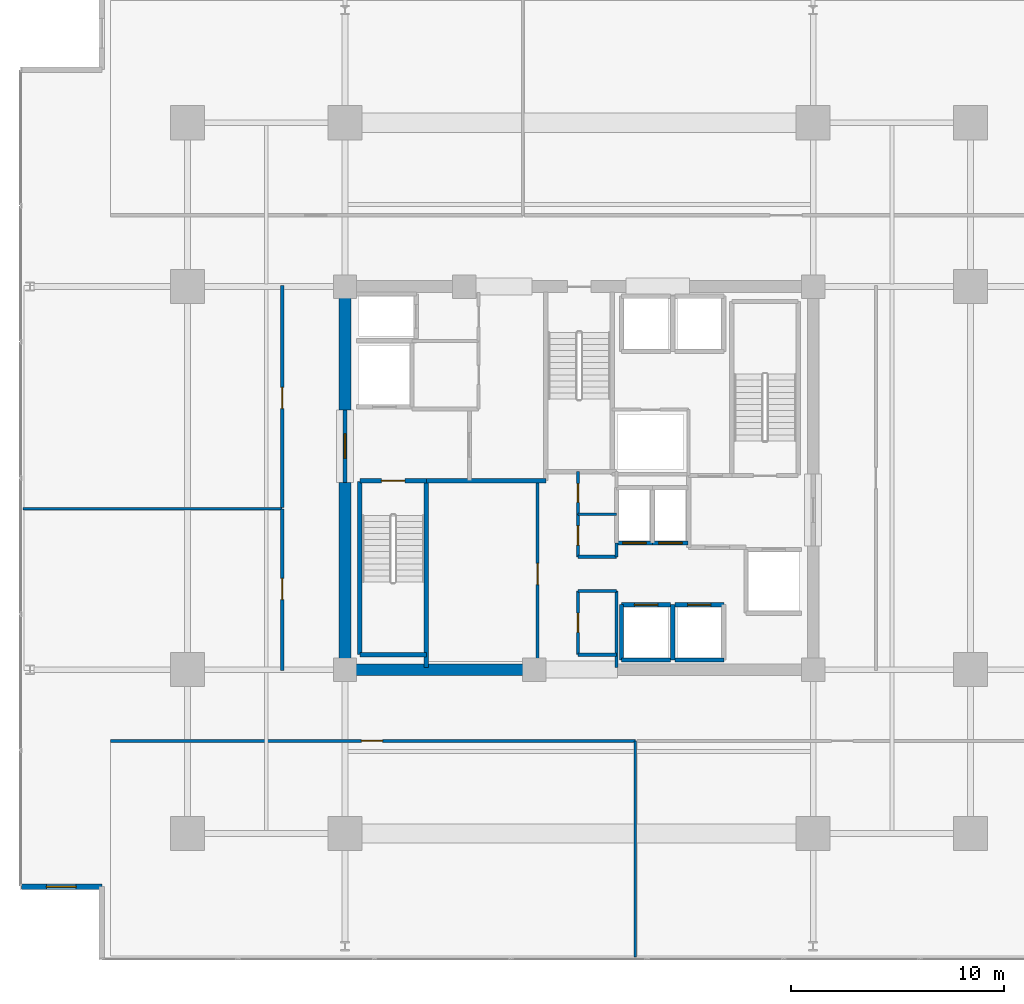
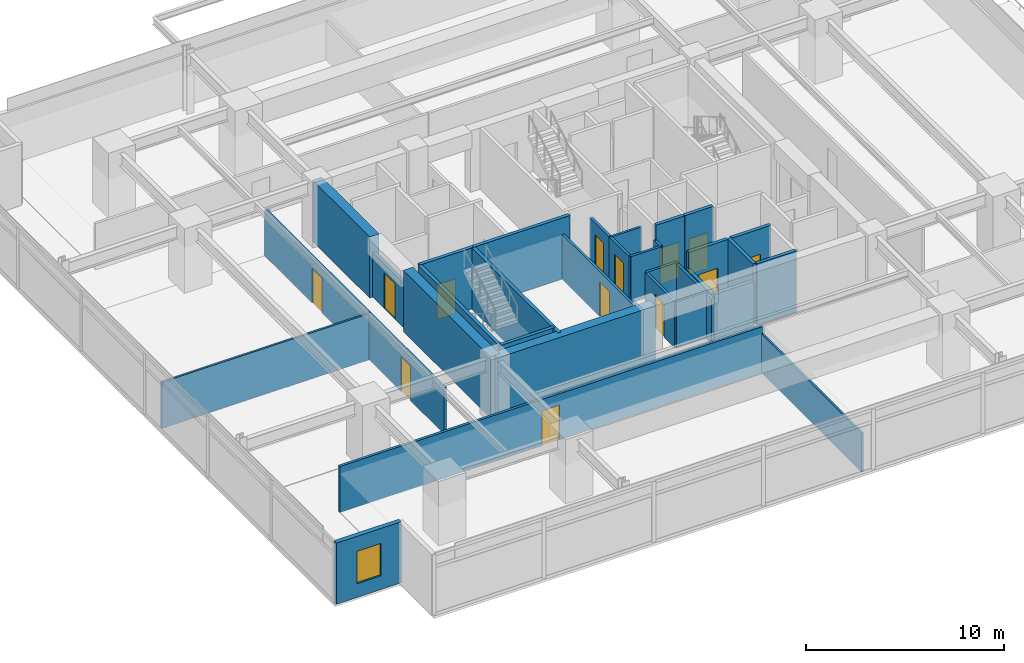
# One storey, part 12 of 20: 33 walls, 13 doors, 1 window, 14 openings.
"""IFC4 building model written with IfcOpenShell, lengths in metres."""

from ifc_helpers import new_model, si_unit, direction, frame, frame_2d, origin, place, context, subcontext, project, spatial, rectangle, extrude, material, layer, layer_set, type_object, element, fill, save


model = new_model("IFC4")

# Units and contexts
model_context = context("Model", 3, precision=1e-05, world=origin(), true_north=direction((0.0, 1.0)))
body_context = subcontext(model_context, "Body", "Model", "MODEL_VIEW")
ifc_project = project(units=[si_unit("LENGTHUNIT", "METRE"), si_unit("AREAUNIT", "SQUARE_METRE"), si_unit("VOLUMEUNIT", "CUBIC_METRE"), si_unit("PLANEANGLEUNIT", "RADIAN"), si_unit("MASSUNIT", "GRAM", prefix="KILO")], contexts=[model_context])

# Site, building, storey
site_placement = place(None, origin())
site = spatial("IfcSite", under=ifc_project, at=site_placement, CompositionType="ELEMENT")
building_placement = place(site_placement, origin())
building = spatial("IfcBuilding", under=site, at=building_placement, Name="Kovane Verandah Tower", CompositionType="ELEMENT")
storey_placement = place(building_placement, frame((0.0, 0.0, 128.39990234375)))
storey = spatial("IfcBuildingStorey", under=building, at=storey_placement, Name="L29", CompositionType="ELEMENT", Elevation=128.39990234375)

# Walls
ifc_material_1 = material(Name="Fire-Rated Gypsum Stud Partition", Category="gypsum")
ifc_layer_1 = layer(ifc_material_1, 0.14990234375)
ifc_layer_set_1 = layer_set([ifc_layer_1], Name="Fire-Rated Gypsum Stud Partition")
wall_type_1 = type_object("IfcWallType", Name="WL-COR-150", PredefinedType="PARTITIONING", material=ifc_layer_set_1)
for number, where, z_axis, x_axis, name in (
    (1, (39.949951171875, 19.199951171875, 0.0), (0.0, 0.0, 1.0), (1.0, 0.0, 0.0), "L29 Central Core Strip South Wall"),
    (2, (39.949951171875, 22.199951171875, 0.0), (0.0, 0.0, 1.0), (1.0, 0.0, 0.0), "L29 Core Cross-Passage South Wall"),
    (3, (39.949951171875, 23.800048828125, 0.0), (0.0, 0.0, 1.0), (1.0, 0.0, 0.0), "L29 Core Cross-Passage North Wall"),
):
    element("IfcWall", number, at=place(storey_placement, frame(where, z_axis=z_axis, x_axis=x_axis)), inside=storey, type_object=wall_type_1, Name=name, PredefinedType="PARTITIONING", context=body_context, shape_type="SweptSolid", body=[
        extrude(rectangle(XDim=1.81005859375, YDim=0.14990234375, at=frame_2d((0.905029296875, 0.0))), origin(), (0.0, 0.0, 1.0), 2.85009765625),
    ])
wall_1_placement = place(storey_placement, frame((41.760009765625, 18.60009765625, 0.0), z_axis=(0.0, 0.0, 1.0), x_axis=(0.0, 1.0, 0.0)))
element("IfcWall", 4, at=wall_1_placement, inside=storey, type_object=wall_type_1, Name="L29 Central Core Strip Lower East Wall", PredefinedType="PARTITIONING", context=body_context, shape_type="SweptSolid", body=[
    extrude(rectangle(XDim=3.599853515625, YDim=0.14990234375, at=frame_2d((1.7998046875, 0.0))), origin(), (0.0, 0.0, 1.0), 2.755126953125),
])
wall_2_placement = place(storey_placement, frame((41.760009765625, 23.800048828125, 0.0), z_axis=(0.0, 0.0, 1.0), x_axis=(0.0, 1.0, 0.0)))
element("IfcWall", 5, at=wall_2_placement, inside=storey, type_object=wall_type_1, Name="L29 Central Core Strip Middle East Wall", PredefinedType="PARTITIONING", context=body_context, shape_type="SweptSolid", body=[
    extrude(rectangle(XDim=0.64990234375, YDim=0.14990234375, at=frame_2d((0.324951171875, 0.0))), origin(), (0.0, 0.0, 1.0), 2.85009765625),
])

# Wall, opening, door
wall_3_placement = place(storey_placement, frame((39.949951171875, 19.199951171875, 0.0), z_axis=(0.0, 0.0, 1.0), x_axis=(0.0, 1.0, 0.0)))
wall_3 = element("IfcWall", 6, at=wall_3_placement, inside=storey, type_object=wall_type_1, Name="L29 Male Toilet Partition", PredefinedType="PARTITIONING", context=body_context, shape_type="SweptSolid", body=[
    extrude(rectangle(XDim=3.0, YDim=0.14990234375, at=frame_2d((1.5, 0.0))), origin(), (0.0, 0.0, 1.0), 2.85009765625),
])
opening_1_placement = place(wall_3_placement, frame((1.050048828125, 0.0, 0.0)))
opening_1 = element("IfcOpeningElement", 7, at=opening_1_placement, cuts=wall_3, Name="Opening DR-L29-022", PredefinedType="OPENING", context=body_context, shape_type="SweptSolid", body=[
    extrude(rectangle(XDim=0.89990234375, YDim=2.10009765625, at=frame_2d((0.449951171875, 1.050048828125))), frame((0.0, 0.074951171875, 0.0), z_axis=(0.0, -1.0, 0.0), x_axis=(1.0, 0.0, 0.0)), (0.0, 0.0, 1.0), 0.14990234375),
])
ifc_material_2 = material(Name="Moisture-Resistant Laminate Washroom Door", Category="wood")
door_type_1 = type_object("IfcDoorType", Name="DR-WC-900", OperationType="SINGLE_SWING_LEFT", PredefinedType="DOOR", material=ifc_material_2)
door_1_placement = place(opening_1_placement, origin())
door_1 = element("IfcDoor", 8, at=door_1_placement, inside=storey, type_object=door_type_1, Name="L29 Male Toilet Door", OperationType="SINGLE_SWING_LEFT", OverallHeight=2.10009765625, OverallWidth=0.89990234375, PredefinedType="DOOR", context=body_context, shape_type="SweptSolid", body=[
    extrude(rectangle(XDim=0.89990234375, YDim=2.10009765625, at=frame_2d((0.449951171875, 1.050048828125))), frame((0.0, 0.02490234375, 0.0), z_axis=(0.0, -1.0, 0.0), x_axis=(1.0, 0.0, 0.0)), (0.0, 0.0, 1.0), 0.050048828125),
])
fill(opening_1, door_1)

wall_4_placement = place(storey_placement, frame((39.949951171875, 23.800048828125, 0.0), z_axis=(0.0, 0.0, 1.0), x_axis=(0.0, 1.0, 0.0)))
wall_4 = element("IfcWall", 9, at=wall_4_placement, inside=storey, type_object=wall_type_1, Name="L29 Female Toilet Partition", PredefinedType="PARTITIONING", context=body_context, shape_type="SweptSolid", body=[
    extrude(rectangle(XDim=2.0, YDim=0.14990234375, at=frame_2d((1.0, 0.0))), origin(), (0.0, 0.0, 1.0), 2.85009765625),
])
opening_2_placement = place(wall_4_placement, frame((0.550048828125, 0.0, 0.0)))
opening_2 = element("IfcOpeningElement", 10, at=opening_2_placement, cuts=wall_4, Name="Opening DR-L29-021", PredefinedType="OPENING", context=body_context, shape_type="SweptSolid", body=[
    extrude(rectangle(XDim=0.89990234375, YDim=2.10009765625, at=frame_2d((0.449951171875, 1.050048828125))), frame((0.0, 0.074951171875, 0.0), z_axis=(0.0, -1.0, 0.0), x_axis=(1.0, 0.0, 0.0)), (0.0, 0.0, 1.0), 0.14990234375),
])
door_2_placement = place(opening_2_placement, origin())
door_2 = element("IfcDoor", 11, at=door_2_placement, inside=storey, type_object=door_type_1, Name="L29 Female Toilet Door", OperationType="SINGLE_SWING_RIGHT", OverallHeight=2.10009765625, OverallWidth=0.89990234375, PredefinedType="DOOR", context=body_context, shape_type="SweptSolid", body=[
    extrude(rectangle(XDim=0.89990234375, YDim=2.10009765625, at=frame_2d((0.449951171875, 1.050048828125))), frame((0.0, 0.02490234375, 0.0), z_axis=(0.0, -1.0, 0.0), x_axis=(1.0, 0.0, 0.0)), (0.0, 0.0, 1.0), 0.050048828125),
])
fill(opening_2, door_2)

wall_5_placement = place(storey_placement, frame((39.949951171875, 25.800048828125, 0.0), z_axis=(0.0, 0.0, 1.0), x_axis=(0.0, 1.0, 0.0)))
wall_5 = element("IfcWall", 12, at=wall_5_placement, inside=storey, type_object=wall_type_1, Name="L29 Telecom and BMS Riser Room Partition", PredefinedType="PARTITIONING", context=body_context, shape_type="SweptSolid", body=[
    extrude(rectangle(XDim=2.0, YDim=0.14990234375, at=frame_2d((1.0, 0.0))), origin(), (0.0, 0.0, 1.0), 2.85009765625),
])
opening_3_placement = place(wall_5_placement, frame((0.56005859375, 0.0, 0.0)))
opening_3 = element("IfcOpeningElement", 13, at=opening_3_placement, cuts=wall_5, Name="Opening DR-L29-019", PredefinedType="OPENING", context=body_context, shape_type="SweptSolid", body=[
    extrude(rectangle(XDim=0.8798828125, YDim=2.10009765625, at=frame_2d((0.43994140625, 1.050048828125))), frame((0.0, 0.074951171875, 0.0), z_axis=(0.0, -1.0, 0.0), x_axis=(1.0, 0.0, 0.0)), (0.0, 0.0, 1.0), 0.14990234375),
])
ifc_material_3 = material(Name="Fire-Rated Steel Riser Access Door", Category="steel")
door_type_2 = type_object("IfcDoorType", Name="DR-RISER-880", OperationType="SINGLE_SWING_LEFT", PredefinedType="DOOR", material=ifc_material_3)
door_3_placement = place(opening_3_placement, origin())
door_3 = element("IfcDoor", 14, at=door_3_placement, inside=storey, type_object=door_type_2, Name="L29 Telecom and BMS Riser Room Door", OperationType="SINGLE_SWING_LEFT", OverallHeight=2.10009765625, OverallWidth=0.8798828125, PredefinedType="DOOR", context=body_context, shape_type="SweptSolid", body=[
    extrude(rectangle(XDim=0.8798828125, YDim=2.10009765625, at=frame_2d((0.43994140625, 1.050048828125))), frame((0.0, 0.02490234375, 0.0), z_axis=(0.0, -1.0, 0.0), x_axis=(1.0, 0.0, 0.0)), (0.0, 0.0, 1.0), 0.050048828125),
])
fill(opening_3, door_3)

wall_6_placement = place(storey_placement, frame((38.050048828125, 18.60009765625, 0.0), z_axis=(0.0, 0.0, 1.0), x_axis=(0.0, 1.0, 0.0)))
wall_6 = element("IfcWall", 15, at=wall_6_placement, inside=storey, type_object=wall_type_1, Name="L29 Tenant Wellness and Archive Suite Partition", PredefinedType="PARTITIONING", context=body_context, shape_type="SweptSolid", body=[
    extrude(rectangle(XDim=8.77978515625, YDim=0.14990234375, at=frame_2d((4.389892578125, 0.0))), origin(), (0.0, 0.0, 1.0), 2.755126953125),
])
opening_4_placement = place(wall_6_placement, frame((3.889892578125, 0.0, 0.0)))
opening_4 = element("IfcOpeningElement", 16, at=opening_4_placement, cuts=wall_6, Name="Opening DR-L29-013", PredefinedType="OPENING", context=body_context, shape_type="SweptSolid", body=[
    extrude(rectangle(XDim=1.0, YDim=2.14990234375, at=frame_2d((0.5, 1.074951171875))), frame((0.0, 0.074951171875, 0.0), z_axis=(0.0, -1.0, 0.0), x_axis=(1.0, 0.0, 0.0)), (0.0, 0.0, 1.0), 0.14990234375),
])
ifc_material_4 = material(Name="FSC Spotted-Gum Timber Fire-Rated Office Door", Category="wood")
door_type_3 = type_object("IfcDoorType", Name="DR-OFF-1000", OperationType="SINGLE_SWING_LEFT", PredefinedType="DOOR", material=ifc_material_4)
door_4_placement = place(opening_4_placement, origin())
door_4 = element("IfcDoor", 17, at=door_4_placement, inside=storey, type_object=door_type_3, Name="L29 Tenant Wellness and Archive Suite Door", OperationType="SINGLE_SWING_RIGHT", OverallHeight=2.14990234375, OverallWidth=1.0, PredefinedType="DOOR", context=body_context, shape_type="SweptSolid", body=[
    extrude(rectangle(XDim=1.0, YDim=2.14990234375, at=frame_2d((0.5, 1.074951171875))), frame((0.0, 0.02490234375, 0.0), z_axis=(0.0, -1.0, 0.0), x_axis=(1.0, 0.0, 0.0)), (0.0, 0.0, 1.0), 0.050048828125),
])
fill(opening_4, door_4)

wall_7_placement = place(storey_placement, frame((17.97119140625, 15.14990234375, 0.0), z_axis=(0.0, 0.0, 1.0), x_axis=(1.0, 0.0, 0.0)))
wall_7 = element("IfcWall", 18, at=wall_7_placement, inside=storey, type_object=wall_type_1, Name="L29 Meeting Room S1 Corridor Partition", PredefinedType="PARTITIONING", context=body_context, shape_type="SweptSolid", body=[
    extrude(rectangle(XDim=24.672119140625, YDim=0.14990234375, at=frame_2d((12.3359375, 0.0))), origin(), (0.0, 0.0, 1.0), 2.85009765625),
])
opening_5_placement = place(wall_7_placement, frame((11.801025390625, 0.0, 0.0)))
opening_5 = element("IfcOpeningElement", 19, at=opening_5_placement, cuts=wall_7, Name="Opening DR-L29-017", PredefinedType="OPENING", context=body_context, shape_type="SweptSolid", body=[
    extrude(rectangle(XDim=1.0, YDim=2.14990234375, at=frame_2d((0.5, 1.074951171875))), frame((0.0, 0.074951171875, 0.0), z_axis=(0.0, -1.0, 0.0), x_axis=(1.0, 0.0, 0.0)), (0.0, 0.0, 1.0), 0.14990234375),
])
door_5_placement = place(opening_5_placement, origin())
door_5 = element("IfcDoor", 20, at=door_5_placement, inside=storey, type_object=door_type_3, Name="L29 Meeting Room S1 Entrance Door", OperationType="SINGLE_SWING_RIGHT", OverallHeight=2.14990234375, OverallWidth=1.0, PredefinedType="DOOR", context=body_context, shape_type="SweptSolid", body=[
    extrude(rectangle(XDim=1.0, YDim=2.14990234375, at=frame_2d((0.5, 1.074951171875))), frame((0.0, 0.02490234375, 0.0), z_axis=(0.0, -1.0, 0.0), x_axis=(1.0, 0.0, 0.0)), (0.0, 0.0, 1.0), 0.050048828125),
])
fill(opening_5, door_5)

wall_8_placement = place(storey_placement, frame((26.050048828125, 18.449951171875, 0.0), z_axis=(0.0, 0.0, 1.0), x_axis=(0.0, 1.0, 0.0)))
wall_8 = element("IfcWall", 21, at=wall_8_placement, inside=storey, type_object=wall_type_1, Name="L29 Breakout Pantry W1 Corridor Partition", PredefinedType="PARTITIONING", context=body_context, shape_type="SweptSolid", body=[
    extrude(rectangle(XDim=7.60205078125, YDim=0.14990234375, at=frame_2d((3.801025390625, 0.0))), origin(), (0.0, 0.0, 1.0), 2.85009765625),
])
opening_6_placement = place(wall_8_placement, frame((3.341064453125, 0.0, 0.0)))
opening_6 = element("IfcOpeningElement", 22, at=opening_6_placement, cuts=wall_8, Name="Opening DR-L29-023", PredefinedType="OPENING", context=body_context, shape_type="SweptSolid", body=[
    extrude(rectangle(XDim=1.0, YDim=2.14990234375, at=frame_2d((0.5, 1.074951171875))), frame((0.0, 0.074951171875, 0.0), z_axis=(0.0, -1.0, 0.0), x_axis=(1.0, 0.0, 0.0)), (0.0, 0.0, 1.0), 0.14990234375),
])
door_6_placement = place(opening_6_placement, origin())
door_6 = element("IfcDoor", 23, at=door_6_placement, inside=storey, type_object=door_type_3, Name="L29 Breakout Pantry W1 Entrance Door", OperationType="SINGLE_SWING_RIGHT", OverallHeight=2.14990234375, OverallWidth=1.0, PredefinedType="DOOR", context=body_context, shape_type="SweptSolid", body=[
    extrude(rectangle(XDim=1.0, YDim=2.14990234375, at=frame_2d((0.5, 1.074951171875))), frame((0.0, 0.02490234375, 0.0), z_axis=(0.0, -1.0, 0.0), x_axis=(1.0, 0.0, 0.0)), (0.0, 0.0, 1.0), 0.050048828125),
])
fill(opening_6, door_6)

wall_9_placement = place(storey_placement, frame((26.050048828125, 26.1220703125, 0.0), z_axis=(0.0, 0.0, 1.0), x_axis=(0.0, 1.0, 0.0)))
wall_9 = element("IfcWall", 24, at=wall_9_placement, inside=storey, type_object=wall_type_1, Name="L29 Collaboration Hub W2 Corridor Partition", PredefinedType="PARTITIONING", context=body_context, shape_type="SweptSolid", body=[
    extrude(rectangle(XDim=10.427978515625, YDim=0.14990234375, at=frame_2d((5.2138671875, 0.0))), origin(), (0.0, 0.0, 1.0), 2.85009765625),
])
opening_7_placement = place(wall_9_placement, frame((4.638916015625, 0.0, 0.0)))
opening_7 = element("IfcOpeningElement", 25, at=opening_7_placement, cuts=wall_9, Name="Opening DR-L29-024", PredefinedType="OPENING", context=body_context, shape_type="SweptSolid", body=[
    extrude(rectangle(XDim=1.0, YDim=2.14990234375, at=frame_2d((0.5, 1.074951171875))), frame((0.0, 0.074951171875, 0.0), z_axis=(0.0, -1.0, 0.0), x_axis=(1.0, 0.0, 0.0)), (0.0, 0.0, 1.0), 0.14990234375),
])
door_7_placement = place(opening_7_placement, origin())
door_7 = element("IfcDoor", 26, at=door_7_placement, inside=storey, type_object=door_type_3, Name="L29 Collaboration Hub W2 Entrance Door", OperationType="SINGLE_SWING_LEFT", OverallHeight=2.14990234375, OverallWidth=1.0, PredefinedType="DOOR", context=body_context, shape_type="SweptSolid", body=[
    extrude(rectangle(XDim=1.0, YDim=2.14990234375, at=frame_2d((0.5, 1.074951171875))), frame((0.0, 0.02490234375, 0.0), z_axis=(0.0, -1.0, 0.0), x_axis=(1.0, 0.0, 0.0)), (0.0, 0.0, 1.0), 0.050048828125),
])
fill(opening_7, door_7)

# Walls
ifc_material_5 = material(Name="Concrete C60/75", Category="concrete")
ifc_layer_2 = layer(ifc_material_5, 0.550048828125)
ifc_layer_set_2 = layer_set([ifc_layer_2], Name="Concrete C60/75")
wall_type_2 = type_object("IfcWallType", Name="WL-CORE-550", PredefinedType="SHEAR", material=ifc_layer_set_2)
wall_10_placement = place(storey_placement, frame((29.0, 18.5, 0.0), z_axis=(0.0, 0.0, 1.0), x_axis=(1.0, 0.0, 0.0)))
element("IfcWall", 27, at=wall_10_placement, inside=storey, type_object=wall_type_2, Name="L29 Core Shear Wall CS-1", PredefinedType="SHEAR", context=body_context, shape_type="SweptSolid", body=[
    extrude(rectangle(XDim=9.199951171875, YDim=0.550048828125, at=frame_2d((4.60009765625, 0.0))), origin(), (0.0, 0.0, 1.0), 3.775146484375),
])
wall_11_placement = place(storey_placement, frame((29.0, 18.5, 0.0), z_axis=(0.0, 0.0, 1.0), x_axis=(0.0, 1.0, 0.0)))
element("IfcWall", 28, at=wall_11_placement, inside=storey, type_object=wall_type_2, Name="L29 Core Shear Wall CW-1", PredefinedType="SHEAR", context=body_context, shape_type="SweptSolid", body=[
    extrude(rectangle(XDim=8.800048828125, YDim=0.550048828125, at=frame_2d((4.39990234375, 0.0))), origin(), (0.0, 0.0, 1.0), 3.775146484375),
])
wall_12_placement = place(storey_placement, frame((29.0, 30.699951171875, 0.0), z_axis=(0.0, 0.0, 1.0), x_axis=(0.0, 1.0, 0.0)))
element("IfcWall", 29, at=wall_12_placement, inside=storey, type_object=wall_type_2, Name="L29 Core Shear Wall CW-2", PredefinedType="SHEAR", context=body_context, shape_type="SweptSolid", body=[
    extrude(rectangle(XDim=5.800048828125, YDim=0.550048828125, at=frame_2d((2.89990234375, 0.0))), origin(), (0.0, 0.0, 1.0), 3.775146484375),
])

# Wall, opening, door
ifc_material_6 = material(Name="Concrete C45/55 Fire Wall", Category="concrete")
ifc_layer_3 = layer(ifc_material_6, 0.199951171875)
ifc_layer_set_3 = layer_set([ifc_layer_3], Name="Concrete C45/55 Fire Wall")
wall_type_3 = type_object("IfcWallType", Name="WL-FFL-200", PredefinedType="PARTITIONING", material=ifc_layer_set_3)
wall_13_placement = place(storey_placement, frame((29.0, 27.300048828125, 0.0), z_axis=(0.0, 0.0, 1.0), x_axis=(0.0, 1.0, 0.0)))
wall_13 = element("IfcWall", 30, at=wall_13_placement, inside=storey, type_object=wall_type_3, Name="W-L29-FFLW-OUT", PredefinedType="PARTITIONING", context=body_context, shape_type="SweptSolid", body=[
    extrude(rectangle(XDim=3.39990234375, YDim=0.199951171875, at=frame_2d((1.699951171875, 0.0))), origin(), (0.0, 0.0, 1.0), 2.755126953125),
])
opening_8_placement = place(wall_13_placement, frame((1.125, 0.0, 0.0)))
opening_8 = element("IfcOpeningElement", 31, at=opening_8_placement, cuts=wall_13, Name="Opening DR-L29-007", PredefinedType="OPENING", context=body_context, shape_type="SweptSolid", body=[
    extrude(rectangle(XDim=1.14990234375, YDim=2.199951171875, at=frame_2d((0.574951171875, 1.10009765625))), frame((0.0, 0.10009765625, 0.0), z_axis=(0.0, -1.0, 0.0), x_axis=(1.0, 0.0, 0.0)), (0.0, 0.0, 1.0), 0.199951171875),
])
ifc_material_7 = material(Name="Smoke-Sealed Firefighting Lobby Door", Category="steel")
door_type_4 = type_object("IfcDoorType", Name="DR-FFL-1150", OperationType="SINGLE_SWING_LEFT", PredefinedType="DOOR", material=ifc_material_7)
door_8_placement = place(opening_8_placement, origin())
door_8 = element("IfcDoor", 32, at=door_8_placement, inside=storey, type_object=door_type_4, Name="L29 West Firefighting Lobby Corridor Door", OperationType="SINGLE_SWING_RIGHT", OverallHeight=2.199951171875, OverallWidth=1.14990234375, PredefinedType="DOOR", context=body_context, shape_type="SweptSolid", body=[
    extrude(rectangle(XDim=1.14990234375, YDim=2.199951171875, at=frame_2d((0.574951171875, 1.10009765625))), frame((0.0, 0.02490234375, 0.0), z_axis=(0.0, -1.0, 0.0), x_axis=(1.0, 0.0, 0.0)), (0.0, 0.0, 1.0), 0.050048828125),
])
fill(opening_8, door_8)

# Walls
wall_14_placement = place(storey_placement, frame((32.820068359375, 27.3798828125, 0.0), z_axis=(0.0, 0.0, 1.0), x_axis=(1.0, 0.0, 0.0)))
element("IfcWall", 33, at=wall_14_placement, inside=storey, type_object=wall_type_3, Name="L29 West Firefighting Lobby South Fire Wall", PredefinedType="PARTITIONING", context=body_context, shape_type="SweptSolid", body=[
    extrude(rectangle(XDim=5.619873046875, YDim=0.199951171875, at=frame_2d((2.81005859375, 0.0))), origin(), (0.0, 0.0, 1.0), 3.775146484375),
])
ifc_material_8 = material(Name="Concrete C45/55 Lift Shaft Wall", Category="concrete")
ifc_layer_4 = layer(ifc_material_8, 0.199951171875)
ifc_layer_set_4 = layer_set([ifc_layer_4], Name="Concrete C45/55 Lift Shaft Wall")
wall_type_4 = type_object("IfcWallType", Name="WL-LIFT-200", PredefinedType="SOLIDWALL", material=ifc_layer_set_4)
wall_15_placement = place(storey_placement, frame((42.0, 18.949951171875, 0.0), z_axis=(0.0, 0.0, 1.0), x_axis=(1.0, 0.0, 0.0)))
element("IfcWall", 34, at=wall_15_placement, inside=storey, type_object=wall_type_4, Name="L29 Lift PL-M1 S Shaft Wall", PredefinedType="SOLIDWALL", context=body_context, shape_type="SweptSolid", body=[
    extrude(rectangle(XDim=2.300048828125, YDim=0.199951171875, at=frame_2d((1.14990234375, 0.0))), origin(), (0.0, 0.0, 1.0), 2.755126953125),
])

# Wall, opening, door
wall_16_placement = place(storey_placement, frame((44.300048828125, 21.550048828125, 0.0), z_axis=(0.0, 0.0, 1.0), x_axis=(-1.0, 0.0, 0.0)))
wall_16 = element("IfcWall", 35, at=wall_16_placement, inside=storey, type_object=wall_type_4, Name="L29 Lift PL-M1 N Shaft Wall", PredefinedType="SOLIDWALL", context=body_context, shape_type="SweptSolid", body=[
    extrude(rectangle(XDim=2.300048828125, YDim=0.199951171875, at=frame_2d((1.14990234375, 0.0))), origin(), (0.0, 0.0, 1.0), 3.775146484375),
])
opening_9_placement = place(wall_16_placement, frame((0.60009765625, 0.0, 0.0)))
opening_9 = element("IfcOpeningElement", 36, at=opening_9_placement, cuts=wall_16, Name="Opening LD-L29-004", PredefinedType="OPENING", context=body_context, shape_type="SweptSolid", body=[
    extrude(rectangle(XDim=1.10009765625, YDim=2.199951171875, at=frame_2d((0.550048828125, 1.10009765625))), frame((0.0, 0.10009765625, 0.0), z_axis=(0.0, -1.0, 0.0), x_axis=(1.0, 0.0, 0.0)), (0.0, 0.0, 1.0), 0.199951171875),
])
ifc_material_9 = material(Name="Brushed Stainless Steel Sliding Lift Landing Door", Category="steel")
door_type_5 = type_object("IfcDoorType", Name="DR-LIFT-1100", OperationType="SLIDING_TO_RIGHT", PredefinedType="DOOR", material=ifc_material_9)
door_9_placement = place(opening_9_placement, origin())
door_9 = element("IfcDoor", 37, at=door_9_placement, inside=storey, type_object=door_type_5, Name="L29 Lift PL-M1 Sliding Landing Door", OperationType="SLIDING_TO_RIGHT", OverallHeight=2.199951171875, OverallWidth=1.10009765625, PredefinedType="DOOR", context=body_context, shape_type="SweptSolid", body=[
    extrude(rectangle(XDim=1.10009765625, YDim=2.199951171875, at=frame_2d((0.550048828125, 1.10009765625))), frame((0.0, 0.02490234375, 0.0), z_axis=(0.0, -1.0, 0.0), x_axis=(1.0, 0.0, 0.0)), (0.0, 0.0, 1.0), 0.050048828125),
])
fill(opening_9, door_9)

# Walls
wall_17_placement = place(storey_placement, frame((42.0, 21.550048828125, 0.0), z_axis=(0.0, 0.0, 1.0), x_axis=(0.0, -1.0, 0.0)))
element("IfcWall", 38, at=wall_17_placement, inside=storey, type_object=wall_type_4, Name="L29 Lift PL-M1 W Shaft Wall", PredefinedType="SOLIDWALL", context=body_context, shape_type="SweptSolid", body=[
    extrude(rectangle(XDim=2.60009765625, YDim=0.199951171875, at=frame_2d((1.300048828125, 0.0))), origin(), (0.0, 0.0, 1.0), 2.755126953125),
])
wall_18_placement = place(storey_placement, frame((44.39990234375, 18.949951171875, 0.0), z_axis=(0.0, 0.0, 1.0), x_axis=(0.0, 1.0, 0.0)))
element("IfcWall", 39, at=wall_18_placement, inside=storey, type_object=wall_type_4, Name="L29 Lift PL-M1 and PL-M2 Shared Shaft Wall", PredefinedType="SOLIDWALL", context=body_context, shape_type="SweptSolid", body=[
    extrude(rectangle(XDim=2.60009765625, YDim=0.199951171875, at=frame_2d((1.300048828125, 0.0))), origin(), (0.0, 0.0, 1.0), 3.775146484375),
])
wall_19_placement = place(storey_placement, frame((44.5, 18.949951171875, 0.0), z_axis=(0.0, 0.0, 1.0), x_axis=(1.0, 0.0, 0.0)))
element("IfcWall", 40, at=wall_19_placement, inside=storey, type_object=wall_type_4, Name="L29 Lift PL-M2 S Shaft Wall", PredefinedType="SOLIDWALL", context=body_context, shape_type="SweptSolid", body=[
    extrude(rectangle(XDim=2.300048828125, YDim=0.199951171875, at=frame_2d((1.14990234375, 0.0))), origin(), (0.0, 0.0, 1.0), 3.775146484375),
])

# Wall, opening, door
wall_20_placement = place(storey_placement, frame((46.800048828125, 21.550048828125, 0.0), z_axis=(0.0, 0.0, 1.0), x_axis=(-1.0, 0.0, 0.0)))
wall_20 = element("IfcWall", 41, at=wall_20_placement, inside=storey, type_object=wall_type_4, Name="L29 Lift PL-M2 N Shaft Wall", PredefinedType="SOLIDWALL", context=body_context, shape_type="SweptSolid", body=[
    extrude(rectangle(XDim=2.300048828125, YDim=0.199951171875, at=frame_2d((1.14990234375, 0.0))), origin(), (0.0, 0.0, 1.0), 3.775146484375),
])
opening_10_placement = place(wall_20_placement, frame((0.60009765625, 0.0, 0.0)))
opening_10 = element("IfcOpeningElement", 42, at=opening_10_placement, cuts=wall_20, Name="Opening LD-L29-005", PredefinedType="OPENING", context=body_context, shape_type="SweptSolid", body=[
    extrude(rectangle(XDim=1.10009765625, YDim=2.199951171875, at=frame_2d((0.550048828125, 1.10009765625))), frame((0.0, 0.10009765625, 0.0), z_axis=(0.0, -1.0, 0.0), x_axis=(1.0, 0.0, 0.0)), (0.0, 0.0, 1.0), 0.199951171875),
])
door_10_placement = place(opening_10_placement, origin())
door_10 = element("IfcDoor", 43, at=door_10_placement, inside=storey, type_object=door_type_5, Name="L29 Lift PL-M2 Sliding Landing Door", OperationType="SLIDING_TO_RIGHT", OverallHeight=2.199951171875, OverallWidth=1.10009765625, PredefinedType="DOOR", context=body_context, shape_type="SweptSolid", body=[
    extrude(rectangle(XDim=1.10009765625, YDim=2.199951171875, at=frame_2d((0.550048828125, 1.10009765625))), frame((0.0, 0.02490234375, 0.0), z_axis=(0.0, -1.0, 0.0), x_axis=(1.0, 0.0, 0.0)), (0.0, 0.0, 1.0), 0.050048828125),
])
fill(opening_10, door_10)

wall_21_placement = place(storey_placement, frame((41.760009765625, 24.449951171875, 0.0), z_axis=(0.0, 0.0, 1.0), x_axis=(1.0, 0.0, 0.0)))
wall_21 = element("IfcWall", 44, at=wall_21_placement, inside=storey, type_object=wall_type_4, Name="L29 Lift PL-M3 S Shaft Wall", PredefinedType="SOLIDWALL", context=body_context, shape_type="SweptSolid", body=[
    extrude(rectangle(XDim=1.679931640625, YDim=0.199951171875, at=frame_2d((0.83984375, 0.0))), origin(), (0.0, 0.0, 1.0), 3.775146484375),
])
opening_11_placement = place(wall_21_placement, frame((0.2900390625, 0.0, 0.0)))
opening_11 = element("IfcOpeningElement", 45, at=opening_11_placement, cuts=wall_21, Name="Opening LD-L29-006", PredefinedType="OPENING", context=body_context, shape_type="SweptSolid", body=[
    extrude(rectangle(XDim=1.10009765625, YDim=2.199951171875, at=frame_2d((0.550048828125, 1.10009765625))), frame((0.0, 0.10009765625, 0.0), z_axis=(0.0, -1.0, 0.0), x_axis=(1.0, 0.0, 0.0)), (0.0, 0.0, 1.0), 0.199951171875),
])
door_11_placement = place(opening_11_placement, origin())
door_11 = element("IfcDoor", 46, at=door_11_placement, inside=storey, type_object=door_type_5, Name="L29 Lift PL-M3 Sliding Landing Door", OperationType="SLIDING_TO_RIGHT", OverallHeight=2.199951171875, OverallWidth=1.10009765625, PredefinedType="DOOR", context=body_context, shape_type="SweptSolid", body=[
    extrude(rectangle(XDim=1.10009765625, YDim=2.199951171875, at=frame_2d((0.550048828125, 1.10009765625))), frame((0.0, 0.02490234375, 0.0), z_axis=(0.0, -1.0, 0.0), x_axis=(1.0, 0.0, 0.0)), (0.0, 0.0, 1.0), 0.050048828125),
])
fill(opening_11, door_11)

wall_22_placement = place(storey_placement, frame((43.4599609375, 24.449951171875, 0.0), z_axis=(0.0, 0.0, 1.0), x_axis=(1.0, 0.0, 0.0)))
wall_22 = element("IfcWall", 47, at=wall_22_placement, inside=storey, type_object=wall_type_4, Name="L29 Lift PL-M4 S Shaft Wall", PredefinedType="SOLIDWALL", context=body_context, shape_type="SweptSolid", body=[
    extrude(rectangle(XDim=1.66015625, YDim=0.199951171875, at=frame_2d((0.830078125, 0.0))), origin(), (0.0, 0.0, 1.0), 3.775146484375),
])
opening_12_placement = place(wall_22_placement, frame((0.280029296875, 0.0, 0.0)))
opening_12 = element("IfcOpeningElement", 48, at=opening_12_placement, cuts=wall_22, Name="Opening LD-L29-007", PredefinedType="OPENING", context=body_context, shape_type="SweptSolid", body=[
    extrude(rectangle(XDim=1.10009765625, YDim=2.199951171875, at=frame_2d((0.550048828125, 1.10009765625))), frame((0.0, 0.10009765625, 0.0), z_axis=(0.0, -1.0, 0.0), x_axis=(1.0, 0.0, 0.0)), (0.0, 0.0, 1.0), 0.199951171875),
])
door_12_placement = place(opening_12_placement, origin())
door_12 = element("IfcDoor", 49, at=door_12_placement, inside=storey, type_object=door_type_5, Name="L29 Lift PL-M4 Sliding Landing Door", OperationType="SLIDING_TO_RIGHT", OverallHeight=2.199951171875, OverallWidth=1.10009765625, PredefinedType="DOOR", context=body_context, shape_type="SweptSolid", body=[
    extrude(rectangle(XDim=1.10009765625, YDim=2.199951171875, at=frame_2d((0.550048828125, 1.10009765625))), frame((0.0, 0.02490234375, 0.0), z_axis=(0.0, -1.0, 0.0), x_axis=(1.0, 0.0, 0.0)), (0.0, 0.0, 1.0), 0.050048828125),
])
fill(opening_12, door_12)

# Walls
ifc_material_10 = material(Name="Acoustic Fire-Rated Gypsum Partition", Category="gypsum")
ifc_layer_5 = layer(ifc_material_10, 0.1201171875)
ifc_layer_set_5 = layer_set([ifc_layer_5], Name="Acoustic Fire-Rated Gypsum Partition")
wall_type_5 = type_object("IfcWallType", Name="WL-PART-120", PredefinedType="PARTITIONING", material=ifc_layer_set_5)
wall_23_placement = place(storey_placement, frame((39.949951171875, 25.800048828125, 0.0), z_axis=(0.0, 0.0, 1.0), x_axis=(1.0, 0.0, 0.0)))
element("IfcWall", 50, at=wall_23_placement, inside=storey, type_object=wall_type_5, Name="L29 Central Core Strip Upper Dividing Partition", PredefinedType="PARTITIONING", context=body_context, shape_type="SweptSolid", body=[
    extrude(rectangle(XDim=1.81005859375, YDim=0.1201171875, at=frame_2d((0.905029296875, 0.0))), origin(), (0.0, 0.0, 1.0), 2.85009765625),
])
wall_24_placement = place(storey_placement, frame((42.643310546875, 5.0, 0.0), z_axis=(0.0, 0.0, 1.0), x_axis=(0.0, 1.0, 0.0)))
element("IfcWall", 51, at=wall_24_placement, inside=storey, type_object=wall_type_5, Name="L29 Meeting Room S1 Dividing Partition", PredefinedType="PARTITIONING", context=body_context, shape_type="SweptSolid", body=[
    extrude(rectangle(XDim=10.14990234375, YDim=0.1201171875, at=frame_2d((5.074951171875, 0.0))), origin(), (0.0, 0.0, 1.0), 2.405029296875),
])
wall_25_placement = place(storey_placement, frame((13.871337890625, 26.052001953125, 0.0), z_axis=(0.0, 0.0, 1.0), x_axis=(1.0, 0.0, 0.0)))
element("IfcWall", 52, at=wall_25_placement, inside=storey, type_object=wall_type_5, Name="L29 Breakout Pantry W1 Dividing Partition", PredefinedType="PARTITIONING", context=body_context, shape_type="SweptSolid", body=[
    extrude(rectangle(XDim=12.1787109375, YDim=0.1201171875, at=frame_2d((6.08935546875, 0.0))), origin(), (0.0, 0.0, 1.0), 2.85009765625),
])
ifc_material_11 = material(Name="Concrete C45/55", Category="concrete")
ifc_layer_6 = layer(ifc_material_11, 0.199951171875)
ifc_layer_set_6 = layer_set([ifc_layer_6], Name="Concrete C45/55")
wall_type_6 = type_object("IfcWallType", Name="WL-SHAFT-200", PredefinedType="SOLIDWALL", material=ifc_layer_set_6)
wall_26_placement = place(storey_placement, frame((29.699951171875, 19.199951171875, 0.0), z_axis=(0.0, 0.0, 1.0), x_axis=(0.0, 1.0, 0.0)))
element("IfcWall", 53, at=wall_26_placement, inside=storey, type_object=wall_type_6, Name="W-L29-ST01-W", PredefinedType="SOLIDWALL", context=body_context, shape_type="SweptSolid", body=[
    extrude(rectangle(XDim=8.150146484375, YDim=0.199951171875, at=frame_2d((4.0751953125, 0.0))), origin(), (0.0, 0.0, 1.0), 3.775146484375),
])
wall_27_placement = place(storey_placement, frame((29.699951171875, 19.199951171875, 0.0), z_axis=(0.0, 0.0, 1.0), x_axis=(1.0, 0.0, 0.0)))
element("IfcWall", 54, at=wall_27_placement, inside=storey, type_object=wall_type_6, Name="W-L29-ST01-S", PredefinedType="SOLIDWALL", context=body_context, shape_type="SweptSolid", body=[
    extrude(rectangle(XDim=3.1201171875, YDim=0.199951171875, at=frame_2d((1.56005859375, 0.0))), origin(), (0.0, 0.0, 1.0), 3.775146484375),
])
wall_28_placement = place(storey_placement, frame((32.820068359375, 18.60009765625, 0.0), z_axis=(0.0, 0.0, 1.0), x_axis=(0.0, 1.0, 0.0)))
element("IfcWall", 55, at=wall_28_placement, inside=storey, type_object=wall_type_6, Name="W-L29-ST01-E", PredefinedType="SOLIDWALL", context=body_context, shape_type="SweptSolid", body=[
    extrude(rectangle(XDim=8.77978515625, YDim=0.199951171875, at=frame_2d((4.389892578125, 0.0))), origin(), (0.0, 0.0, 1.0), 3.775146484375),
])

# Wall, opening, door
wall_29_placement = place(storey_placement, frame((29.699951171875, 27.3798828125, 0.0), z_axis=(0.0, 0.0, 1.0), x_axis=(1.0, 0.0, 0.0)))
wall_29 = element("IfcWall", 56, at=wall_29_placement, inside=storey, type_object=wall_type_6, Name="W-L29-ST01-N", PredefinedType="SOLIDWALL", context=body_context, shape_type="SweptSolid", body=[
    extrude(rectangle(XDim=3.1201171875, YDim=0.199951171875, at=frame_2d((1.56005859375, 0.0))), origin(), (0.0, 0.0, 1.0), 3.775146484375),
])
opening_13_placement = place(wall_29_placement, frame((1.010009765625, 0.0, 0.0)))
opening_13 = element("IfcOpeningElement", 57, at=opening_13_placement, cuts=wall_29, Name="Opening DR-L29-009", PredefinedType="OPENING", context=body_context, shape_type="SweptSolid", body=[
    extrude(rectangle(XDim=1.10009765625, YDim=2.14990234375, at=frame_2d((0.550048828125, 1.074951171875))), frame((0.0, 0.10009765625, 0.0), z_axis=(0.0, -1.0, 0.0), x_axis=(1.0, 0.0, 0.0)), (0.0, 0.0, 1.0), 0.199951171875),
])
ifc_material_12 = material(Name="Fire-Rated Steel Exit Door", Category="steel")
door_type_6 = type_object("IfcDoorType", Name="DR-STAIR-1100", OperationType="SINGLE_SWING_LEFT", PredefinedType="DOOR", material=ifc_material_12)
door_13_placement = place(opening_13_placement, origin())
door_13 = element("IfcDoor", 58, at=door_13_placement, inside=storey, type_object=door_type_6, Name="L29 ST-01 Fire Exit Stair Door", OperationType="SINGLE_SWING_RIGHT", OverallHeight=2.14990234375, OverallWidth=1.10009765625, PredefinedType="DOOR", context=body_context, shape_type="SweptSolid", body=[
    extrude(rectangle(XDim=1.10009765625, YDim=2.14990234375, at=frame_2d((0.550048828125, 1.074951171875))), frame((0.0, 0.02490234375, 0.0), z_axis=(0.0, -1.0, 0.0), x_axis=(1.0, 0.0, 0.0)), (0.0, 0.0, 1.0), 0.050048828125),
])
fill(opening_13, door_13)

# Wall, opening, window
ifc_material_13 = material(Name="Concrete C45/55 Insulated Spandrel Wall", Category="concrete")
ifc_layer_7 = layer(ifc_material_13, 0.260009765625)
ifc_layer_set_7 = layer_set([ifc_layer_7], Name="Concrete C45/55 Insulated Spandrel Wall")
wall_type_7 = type_object("IfcWallType", Name="WL-SPANDREL-260", PredefinedType="PARAPET", material=ifc_layer_set_7)
wall_30_placement = place(storey_placement, frame((13.771240234375, 8.2998046875, 0.0), z_axis=(0.0, 0.0, 1.0), x_axis=(1.0, 0.0, 0.0)))
wall_30 = element("IfcWall", 59, at=wall_30_placement, inside=storey, type_object=wall_type_7, Name="L29 SW Notch Cheek Wall 1", PredefinedType="PARAPET", context=body_context, shape_type="SweptSolid", body=[
    extrude(rectangle(XDim=3.800048828125, YDim=0.260009765625, at=frame_2d((1.89990234375, 0.0))), origin(), (0.0, 0.0, 1.0), 3.775146484375),
])
opening_14_placement = place(wall_30_placement, frame((1.199951171875, 0.0, 0.85009765625)))
opening_14 = element("IfcOpeningElement", 60, at=opening_14_placement, cuts=wall_30, Name="Opening W-01", PredefinedType="OPENING", context=body_context, shape_type="SweptSolid", body=[
    extrude(rectangle(XDim=1.39990234375, YDim=2.0, at=frame_2d((0.699951171875, 1.0))), frame((0.0, 0.1298828125, 0.0), z_axis=(0.0, -1.0, 0.0), x_axis=(1.0, 0.0, 0.0)), (0.0, 0.0, 1.0), 0.260009765625),
])
ifc_material_14 = material(Name="Clear Low-E Laminated Double Glazing in Anodised Frame", Category="glass")
window_type = type_object("IfcWindowType", Name="WN-OPER-1400x2000", PartitioningType="SINGLE_PANEL", PredefinedType="WINDOW", material=ifc_material_14)
window_placement = place(opening_14_placement, origin())
window = element("IfcWindow", 61, at=window_placement, inside=storey, type_object=window_type, Name="L29 SW Re-Entrant Corner Operable Window", OverallHeight=2.0, OverallWidth=1.39990234375, PartitioningType="SINGLE_PANEL", PredefinedType="WINDOW", context=body_context, shape_type="SweptSolid", body=[
    extrude(rectangle(XDim=1.39990234375, YDim=2.0, at=frame_2d((0.699951171875, 1.0))), frame((0.0, 0.030029296875, 0.0), z_axis=(0.0, -1.0, 0.0), x_axis=(1.0, 0.0, 0.0)), (0.0, 0.0, 1.0), 0.06005859375),
])
fill(opening_14, window)

save(model, "model.ifc")
